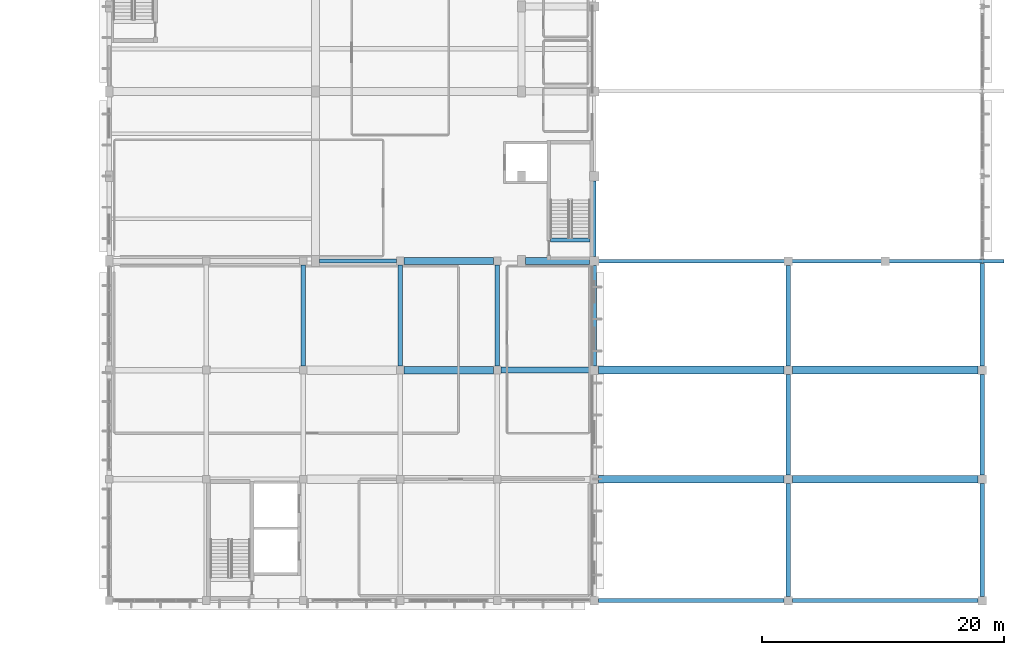
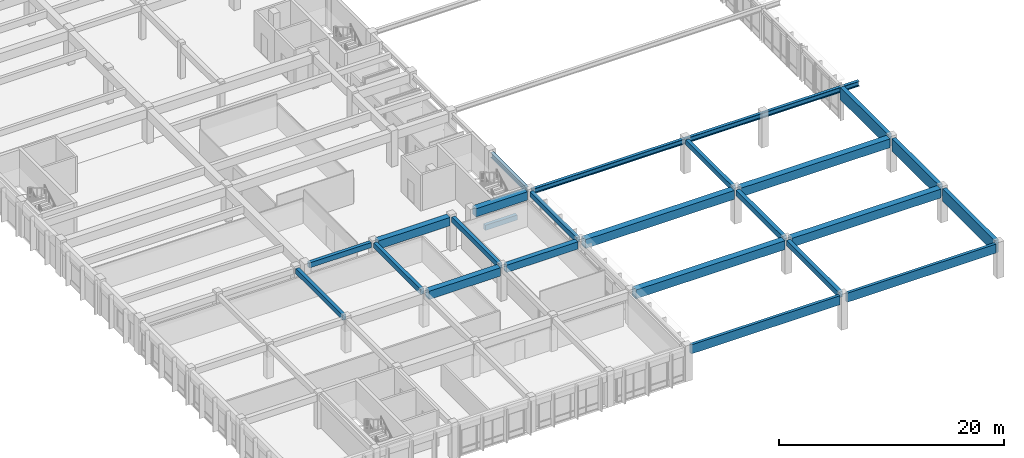
# One storey, part 28 of 98: 24 beams.
"""IFC4 building model written with IfcOpenShell, lengths in metres."""

from ifc_helpers import new_model, si_unit, direction, frame, origin, origin_2d, place, context, subcontext, project, spatial, rectangle, i_section, extrude, material, material_profile, profile_set, type_object, element, save


model = new_model("IFC4")

# Units and contexts
model_context = context("Model", 3, precision=1e-05, world=origin(), true_north=direction((0.0, 1.0)))
body_context = subcontext(model_context, "Body", "Model", "MODEL_VIEW")
ifc_project = project(units=[si_unit("LENGTHUNIT", "METRE"), si_unit("AREAUNIT", "SQUARE_METRE"), si_unit("VOLUMEUNIT", "CUBIC_METRE"), si_unit("PLANEANGLEUNIT", "RADIAN"), si_unit("MASSUNIT", "GRAM", prefix="KILO")], contexts=[model_context])

# Site, building, storey
site_placement = place(None, origin())
site = spatial("IfcSite", under=ifc_project, at=site_placement, CompositionType="ELEMENT")
building_placement = place(site_placement, origin())
building = spatial("IfcBuilding", under=site, at=building_placement, Name="Larkveld Mobility Hub", CompositionType="ELEMENT")
storey_placement = place(building_placement, frame((0.0, 0.0, 4.5)))
storey = spatial("IfcBuildingStorey", under=building, at=storey_placement, Name="L01", CompositionType="ELEMENT", Elevation=4.5)

# Beams
ifc_material_1 = material(Name="Precast concrete C50/60", Category="concrete")
ifc_material_profile_1 = material_profile(ifc_material_1, rectangle(XDim=0.64990234375, YDim=0.949951171875, at=origin_2d()), Name="PC ITB 650x950")
ifc_profile_set_1 = profile_set([ifc_material_profile_1], Name="Precast concrete C50/60")
beam_type_1 = type_object("IfcBeamType", Name="BM-ITB6595", PredefinedType="T_BEAM", material=ifc_profile_set_1)
for number, where, z_axis, x_axis, name in (
    (1, (152.35009765625, 10.0, 3.18505859375), (1.0, 0.0, 0.0), (0.0, 1.0, 0.0), "Primary E-W Girder L01-0254"),
    (2, (168.35009765625, 10.0, 3.18505859375), (1.0, 0.0, 0.0), (0.0, 1.0, 0.0), "Primary E-W Girder L01-0255"),
    (3, (152.35009765625, 19.0, 3.18505859375), (1.0, 0.0, 0.0), (0.0, 1.0, 0.0), "Primary E-W Girder L01-0261"),
    (4, (168.35009765625, 19.0, 3.18505859375), (1.0, 0.0, 0.0), (0.0, 1.0, 0.0), "Primary E-W Girder L01-0262"),
):
    element("IfcBeam", number, at=place(storey_placement, frame(where, z_axis=z_axis, x_axis=x_axis)), inside=storey, type_object=beam_type_1, Name=name, PredefinedType="T_BEAM", context=body_context, shape_type="SweptSolid", body=[
        extrude(rectangle(XDim=0.64990234375, YDim=0.949951171875, at=origin_2d()), origin(), (0.0, 0.0, 1.0), 15.2998046875),
    ])
ifc_material_2 = material(Name="Concrete C40/50", Category="concrete")
ifc_material_profile_2 = material_profile(ifc_material_2, rectangle(XDim=0.35009765625, YDim=0.550048828125, at=origin_2d()), Name="RC BM 350x550")
ifc_profile_set_2 = profile_set([ifc_material_profile_2], Name="Concrete C40/50")
beam_type_2 = type_object("IfcBeamType", Name="BM-RC3555", PredefinedType="BEAM", material=ifc_profile_set_2)
beam_1_placement = place(storey_placement, frame((129.324951171875, 28.0, 3.385009765625), z_axis=(1.0, 0.0, 0.0), x_axis=(0.0, 1.0, 0.0)))
element("IfcBeam", 5, at=beam_1_placement, inside=storey, type_object=beam_type_2, Name="Primary E-W Girder L01-0265", PredefinedType="BEAM", context=body_context, shape_type="SweptSolid", body=[
    extrude(rectangle(XDim=0.35009765625, YDim=0.550048828125, at=origin_2d()), origin(), (0.0, 0.0, 1.0), 6.35009765625),
])
for number, where, z_axis, x_axis, name in (
    (6, (128.0, 19.324951171875, 3.385009765625), (0.0, 1.0, 0.0), (-1.0, 0.0, 0.0), "Primary N-S Girder L01-0416"),
    (7, (136.0, 19.324951171875, 3.385009765625), (0.0, 1.0, 0.0), (-1.0, 0.0, 0.0), "Primary N-S Girder L01-0428"),
    (8, (144.0, 19.324951171875, 3.385009765625), (0.0, 1.0, 0.0), (-1.0, 0.0, 0.0), "Primary N-S Girder L01-0436"),
):
    element("IfcBeam", number, at=place(storey_placement, frame(where, z_axis=z_axis, x_axis=x_axis)), inside=storey, type_object=beam_type_2, Name=name, PredefinedType="BEAM", context=body_context, shape_type="SweptSolid", body=[
        extrude(rectangle(XDim=0.35009765625, YDim=0.550048828125, at=origin_2d()), origin(), (0.0, 0.0, 1.0), 8.35009765625),
    ])
beam_2_placement = place(storey_placement, frame((152.0, 19.35009765625, 3.385009765625), z_axis=(0.0, 1.0, 0.0), x_axis=(-1.0, 0.0, 0.0)))
element("IfcBeam", 9, at=beam_2_placement, inside=storey, type_object=beam_type_2, Name="Primary N-S Girder L01-0449", PredefinedType="BEAM", context=body_context, shape_type="SweptSolid", body=[
    extrude(rectangle(XDim=0.35009765625, YDim=0.550048828125, at=origin_2d()), origin(), (0.0, 0.0, 1.0), 8.27490234375),
])
beam_3_placement = place(storey_placement, frame((168.0, 19.35009765625, 3.385009765625), z_axis=(0.0, 1.0, 0.0), x_axis=(-1.0, 0.0, 0.0)))
element("IfcBeam", 10, at=beam_3_placement, inside=storey, type_object=beam_type_2, Name="Primary N-S Girder L01-0466", PredefinedType="BEAM", context=body_context, shape_type="SweptSolid", body=[
    extrude(rectangle(XDim=0.35009765625, YDim=0.550048828125, at=origin_2d()), origin(), (0.0, 0.0, 1.0), 8.2998046875),
])
beam_4_placement = place(storey_placement, frame((148.3798828125, 29.739990234375, -0.27001953125), z_axis=(1.0, 0.0, 0.0), x_axis=(0.0, 1.0, 0.0)))
element("IfcBeam", 11, at=beam_4_placement, inside=storey, type_object=beam_type_2, Name="Core C1 Stair Header Beam L01", PredefinedType="BEAM", context=body_context, shape_type="SweptSolid", body=[
    extrude(rectangle(XDim=0.35009765625, YDim=0.550048828125, at=origin_2d()), origin(), (0.0, 0.0, 1.0), 3.2900390625),
])
ifc_material_profile_3 = material_profile(ifc_material_2, rectangle(XDim=0.39990234375, YDim=0.60009765625, at=origin_2d()), Name="RC BM 400x600")
ifc_profile_set_3 = profile_set([ifc_material_profile_3], Name="Concrete C40/50")
beam_type_3 = type_object("IfcBeamType", Name="BM-RC4060", PredefinedType="BEAM", material=ifc_profile_set_3)
beam_5_placement = place(storey_placement, frame((168.0, 0.35009765625, 3.360107421875), z_axis=(0.0, 1.0, 0.0), x_axis=(-1.0, 0.0, 0.0)))
element("IfcBeam", 12, at=beam_5_placement, inside=storey, type_object=beam_type_3, Name="Primary N-S Girder L01-0464", PredefinedType="BEAM", context=body_context, shape_type="SweptSolid", body=[
    extrude(rectangle(XDim=0.39990234375, YDim=0.60009765625, at=origin_2d()), origin(), (0.0, 0.0, 1.0), 9.2998046875),
])
beam_6_placement = place(storey_placement, frame((168.0, 10.35009765625, 3.360107421875), z_axis=(0.0, 1.0, 0.0), x_axis=(-1.0, 0.0, 0.0)))
element("IfcBeam", 13, at=beam_6_placement, inside=storey, type_object=beam_type_3, Name="Primary N-S Girder L01-0465", PredefinedType="BEAM", context=body_context, shape_type="SweptSolid", body=[
    extrude(rectangle(XDim=0.39990234375, YDim=0.60009765625, at=origin_2d()), origin(), (0.0, 0.0, 1.0), 8.2998046875),
])
ifc_material_profile_4 = material_profile(ifc_material_2, rectangle(XDim=0.5, YDim=0.800048828125, at=origin_2d()), Name="RC BM 500x800")
ifc_profile_set_4 = profile_set([ifc_material_profile_4], Name="Concrete C40/50")
beam_type_4 = type_object("IfcBeamType", Name="BM-RC5080", PredefinedType="BEAM", material=ifc_profile_set_4)
beam_7_placement = place(storey_placement, frame((144.324951171875, 19.0, 3.260009765625), z_axis=(1.0, 0.0, 0.0), x_axis=(0.0, 1.0, 0.0)))
element("IfcBeam", 14, at=beam_7_placement, inside=storey, type_object=beam_type_4, Name="Primary E-W Girder L01-0260", PredefinedType="BEAM", context=body_context, shape_type="SweptSolid", body=[
    extrude(rectangle(XDim=0.5, YDim=0.800048828125, at=origin_2d()), origin(), (0.0, 0.0, 1.0), 7.324951171875),
])
ifc_material_profile_5 = material_profile(ifc_material_2, rectangle(XDim=0.60009765625, YDim=0.89990234375, at=origin_2d()), Name="RC BM 600x900")
ifc_profile_set_5 = profile_set([ifc_material_profile_5], Name="Concrete C40/50")
beam_type_5 = type_object("IfcBeamType", Name="BM-RC6090", PredefinedType="BEAM", material=ifc_profile_set_5)
for number, where, z_axis, x_axis, name in (
    (15, (136.324951171875, 19.0, 3.2099609375), (1.0, 0.0, 0.0), (0.0, 1.0, 0.0), "Primary E-W Girder L01-0259"),
    (16, (136.324951171875, 28.0, 3.2099609375), (1.0, 0.0, 0.0), (0.0, 1.0, 0.0), "Primary E-W Girder L01-0266"),
):
    element("IfcBeam", number, at=place(storey_placement, frame(where, z_axis=z_axis, x_axis=x_axis)), inside=storey, type_object=beam_type_5, Name=name, PredefinedType="BEAM", context=body_context, shape_type="SweptSolid", body=[
        extrude(rectangle(XDim=0.60009765625, YDim=0.89990234375, at=origin_2d()), origin(), (0.0, 0.0, 1.0), 7.35009765625),
    ])
beam_8_placement = place(storey_placement, frame((146.324951171875, 28.0, 3.2099609375), z_axis=(1.0, 0.0, 0.0), x_axis=(0.0, 1.0, 0.0)))
element("IfcBeam", 17, at=beam_8_placement, inside=storey, type_object=beam_type_5, Name="Primary E-W Girder L01-0267", PredefinedType="BEAM", context=body_context, shape_type="SweptSolid", body=[
    extrude(rectangle(XDim=0.60009765625, YDim=0.89990234375, at=origin_2d()), origin(), (0.0, 0.0, 1.0), 5.300048828125),
])
ifc_material_profile_6 = material_profile(ifc_material_1, rectangle(XDim=0.300048828125, YDim=0.97998046875, at=origin_2d()), Name="PC SP 300x980")
ifc_profile_set_6 = profile_set([ifc_material_profile_6], Name="Precast concrete C50/60")
beam_type_6 = type_object("IfcBeamType", Name="BM-SP3098", PredefinedType="SPANDREL", material=ifc_profile_set_6)
for number, where, z_axis, x_axis, name in (
    (18, (152.35009765625, 0.0, 3.169921875), (1.0, 0.0, 0.0), (0.0, 1.0, 0.0), "Primary E-W Girder L01-0247"),
    (19, (168.35009765625, 0.0, 3.169921875), (1.0, 0.0, 0.0), (0.0, 1.0, 0.0), "Primary E-W Girder L01-0248"),
):
    element("IfcBeam", number, at=place(storey_placement, frame(where, z_axis=z_axis, x_axis=x_axis)), inside=storey, type_object=beam_type_6, Name=name, PredefinedType="SPANDREL", context=body_context, shape_type="SweptSolid", body=[
        extrude(rectangle(XDim=0.300048828125, YDim=0.97998046875, at=origin_2d()), origin(), (0.0, 0.0, 1.0), 15.2998046875),
    ])
ifc_material_profile_7 = material_profile(ifc_material_1, rectangle(XDim=0.39990234375, YDim=1.35009765625, at=origin_2d()), Name="PC SP 400x1350")
ifc_profile_set_7 = profile_set([ifc_material_profile_7], Name="Precast concrete C50/60")
beam_type_7 = type_object("IfcBeamType", Name="BM-SP40135", PredefinedType="SPANDREL", material=ifc_profile_set_7)
beam_9_placement = place(storey_placement, frame((184.0, 0.35009765625, 2.985107421875), z_axis=(0.0, 1.0, 0.0), x_axis=(-1.0, 0.0, 0.0)))
element("IfcBeam", 20, at=beam_9_placement, inside=storey, type_object=beam_type_7, Name="Primary N-S Girder L01-0467", PredefinedType="SPANDREL", context=body_context, shape_type="SweptSolid", body=[
    extrude(rectangle(XDim=0.39990234375, YDim=1.35009765625, at=origin_2d()), origin(), (0.0, 0.0, 1.0), 9.2998046875),
])
beam_10_placement = place(storey_placement, frame((184.0, 10.35009765625, 2.985107421875), z_axis=(0.0, 1.0, 0.0), x_axis=(-1.0, 0.0, 0.0)))
element("IfcBeam", 21, at=beam_10_placement, inside=storey, type_object=beam_type_7, Name="Primary N-S Girder L01-0468", PredefinedType="SPANDREL", context=body_context, shape_type="SweptSolid", body=[
    extrude(rectangle(XDim=0.39990234375, YDim=1.35009765625, at=origin_2d()), origin(), (0.0, 0.0, 1.0), 8.2998046875),
])
beam_11_placement = place(storey_placement, frame((184.0, 19.35009765625, 2.985107421875), z_axis=(0.0, 1.0, 0.0), x_axis=(-1.0, 0.0, 0.0)))
element("IfcBeam", 22, at=beam_11_placement, inside=storey, type_object=beam_type_7, Name="Primary N-S Girder L01-0469", PredefinedType="SPANDREL", context=body_context, shape_type="SweptSolid", body=[
    extrude(rectangle(XDim=0.39990234375, YDim=1.35009765625, at=origin_2d()), origin(), (0.0, 0.0, 1.0), 8.4658203125),
])
ifc_material_3 = material(Name="Steel S355JR", Category="steel")
ifc_material_profile_8 = material_profile(ifc_material_3, i_section(OverallWidth=0.300048828125, OverallDepth=0.550048828125, WebThickness=0.014892578125, FlangeThickness=0.029052734375, FilletRadius=0.027099609375, at=origin_2d()), Name="HEB 550")
ifc_profile_set_8 = profile_set([ifc_material_profile_8], Name="Steel S355JR")
beam_type_8 = type_object("IfcBeamType", Name="BM-STHEB550", PredefinedType="BEAM", material=ifc_profile_set_8)
beam_12_placement = place(storey_placement, frame((152.0, 28.375, 3.385009765625), z_axis=(0.0, 1.0, 0.0), x_axis=(-1.0, 0.0, 0.0)))
element("IfcBeam", 23, at=beam_12_placement, inside=storey, type_object=beam_type_8, Name="Primary N-S Girder L01-0450", PredefinedType="BEAM", context=body_context, shape_type="SweptSolid", body=[
    extrude(i_section(OverallWidth=0.300048828125, OverallDepth=0.550048828125, WebThickness=0.014892578125, FlangeThickness=0.029052734375, FilletRadius=0.027099609375, at=origin_2d()), origin(), (0.0, 0.0, 1.0), 6.25),
])
beam_13_placement = place(storey_placement, frame((152.18994140625, 28.0, 3.3349609375), z_axis=(1.0, 0.0, 0.0), x_axis=(0.0, 1.0, 0.0)))
element("IfcBeam", 24, at=beam_13_placement, inside=storey, type_object=beam_type_8, Name="Sawtooth Valley Tie Girder T1 L01-1736", PredefinedType="BEAM", context=body_context, shape_type="SweptSolid", body=[
    extrude(i_section(OverallWidth=0.300048828125, OverallDepth=0.550048828125, WebThickness=0.014892578125, FlangeThickness=0.029052734375, FilletRadius=0.027099609375, at=origin_2d()), origin(), (0.0, 0.0, 1.0), 33.610107421875),
])

save(model, "model.ifc")
